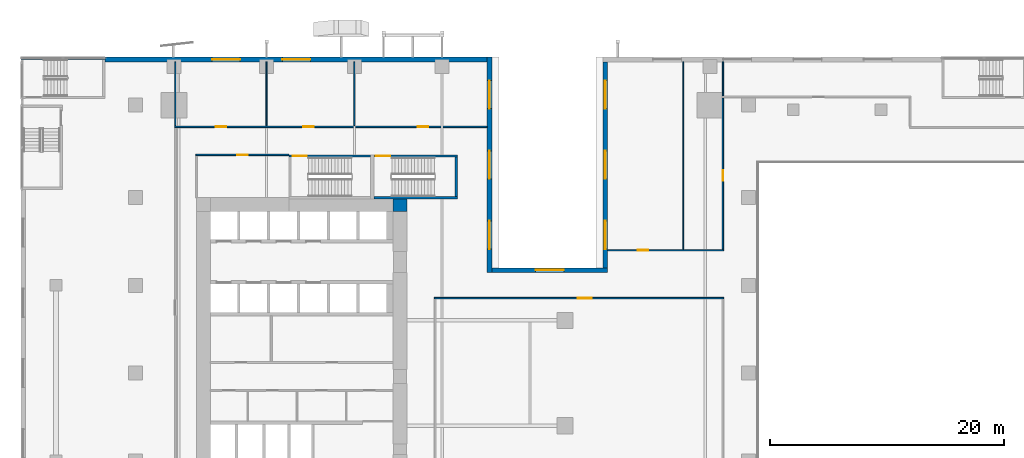
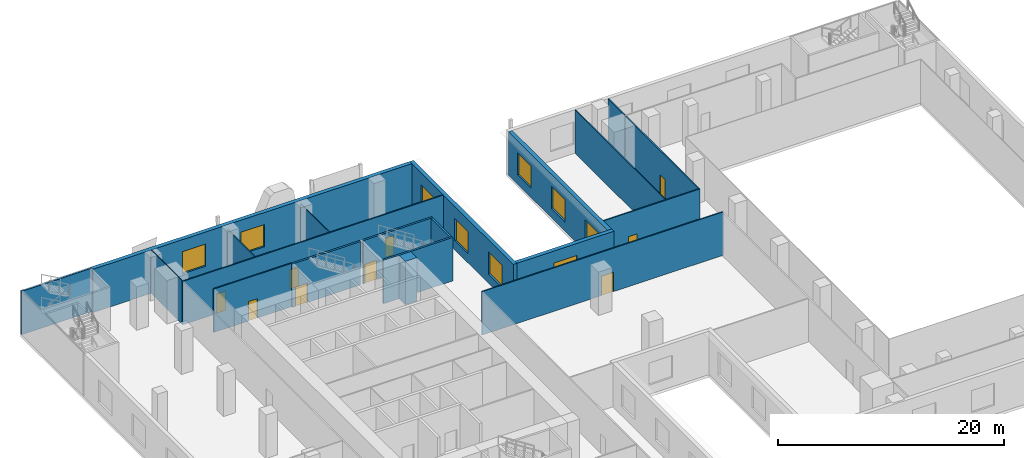
# One storey, part 13 of 22: 20 walls, 9 doors, 9 windows, 18 openings.
"""IFC4 building model written with IfcOpenShell, lengths in metres."""

from ifc_helpers import new_model, si_unit, direction, frame, frame_2d, origin, place, context, subcontext, project, spatial, rectangle, extrude, source, transform, mapped, material, layer, layer_set, type_object, element, fill, save


model = new_model("IFC4")

# Units and contexts
model_context = context("Model", 3, precision=1e-05, world=origin(), true_north=direction((0.0, 1.0)))
body_context = subcontext(model_context, "Body", "Model", "MODEL_VIEW")
ifc_project = project(units=[si_unit("LENGTHUNIT", "METRE"), si_unit("AREAUNIT", "SQUARE_METRE"), si_unit("VOLUMEUNIT", "CUBIC_METRE"), si_unit("PLANEANGLEUNIT", "RADIAN"), si_unit("MASSUNIT", "GRAM", prefix="KILO")], contexts=[model_context])

# Site, building, storey
site_placement = place(None, origin())
site = spatial("IfcSite", under=ifc_project, at=site_placement, CompositionType="ELEMENT")
building_placement = place(site_placement, origin())
building = spatial("IfcBuilding", under=site, at=building_placement, Name="Khomas Fold Tower", CompositionType="ELEMENT")
storey_placement = place(building_placement, frame((0.0, 0.0, 23.5)))
storey = spatial("IfcBuildingStorey", under=building, at=storey_placement, Name="L04", CompositionType="ELEMENT", Elevation=23.5)

# Wall
ifc_material_1 = material(Name="Concrete C70/85", Category="concrete")
ifc_layer_1 = layer(ifc_material_1, 1.10009765625)
ifc_layer_set_1 = layer_set([ifc_layer_1], Name="Concrete C70/85")
wall_type_1 = type_object("IfcWallType", Name="Core corner wall 1100", PredefinedType="SHEAR", material=ifc_layer_set_1)
shared_shape_1 = source(origin(), body_context, "Body", "SweptSolid", [
    extrude(rectangle(XDim=1.199951171875, YDim=1.10009765625, at=frame_2d((0.60009765625, 0.0))), origin(), (0.0, 0.0, 1.0), 4.699951171875),
])
wall_1_placement = place(storey_placement, frame((22.800048828125, 41.35009765625, 0.0), z_axis=(0.0, 0.0, 1.0), x_axis=(1.0, 0.0, 0.0)))
element("IfcWall", 1, at=wall_1_placement, inside=storey, type_object=wall_type_1, Name="Core wall CW-L-NE-B2", PredefinedType="SHEAR", context=body_context, shape_type="MappedRepresentation", body=[
    mapped(shared_shape_1, transform((0.0, 0.0, 0.0))),
])

# Wall, opening, door
ifc_material_2 = material(Name="Concrete C50/60", Category="concrete")
ifc_layer_2 = layer(ifc_material_2, 0.199951171875)
ifc_layer_set_2 = layer_set([ifc_layer_2], Name="Concrete C50/60")
wall_type_2 = type_object("IfcWallType", Name="Stair wall 200", PredefinedType="SHEAR", material=ifc_layer_set_2)
shared_shape_2 = source(origin(), body_context, "Body", "SweptSolid", [
    extrude(rectangle(XDim=7.0, YDim=0.199951171875, at=frame_2d((3.5, 0.0))), origin(), (0.0, 0.0, 1.0), 4.699951171875),
])
wall_2_placement = place(storey_placement, frame((13.89990234375, 45.550048828125, 0.0), z_axis=(0.0, 0.0, 1.0), x_axis=(1.0, 0.0, 0.0)))
wall_2 = element("IfcWall", 2, at=wall_2_placement, inside=storey, type_object=wall_type_2, Name="Stair wall SW-ST1-N", PredefinedType="SHEAR", context=body_context, shape_type="MappedRepresentation", body=[
    mapped(shared_shape_2, transform((0.0, 0.0, 0.0))),
])
shared_shape_3 = source(origin(), body_context, "Body", "SweptSolid", [
    extrude(rectangle(XDim=1.199951171875, YDim=2.10009765625, at=frame_2d((0.60009765625, 1.050048828125))), frame((0.0, 0.10986328125, 0.0), z_axis=(0.0, -1.0, 0.0), x_axis=(1.0, 0.0, 0.0)), (0.0, 0.0, 1.0), 0.219970703125),
])
opening_1_placement = place(wall_2_placement, frame((0.35009765625, 0.0, 0.0)))
opening_1 = element("IfcOpeningElement", 3, at=opening_1_placement, cuts=wall_2, Name="Opening SD-ST1", PredefinedType="OPENING", context=body_context, shape_type="MappedRepresentation", body=[
    mapped(shared_shape_3, transform((0.0, 0.0, 0.0))),
])
ifc_material_3 = material(Name="Steel door leaf", Category="steel")
door_type_1 = type_object("IfcDoorType", Name="Stair door 1200x2100 left-hand", OperationType="SINGLE_SWING_LEFT", PredefinedType="DOOR", material=ifc_material_3)
shared_shape_4 = source(origin(), body_context, "Body", "SweptSolid", [
    extrude(rectangle(XDim=1.199951171875, YDim=2.10009765625, at=frame_2d((0.60009765625, 1.050048828125))), frame((0.0, 0.02490234375, 0.0), z_axis=(0.0, -1.0, 0.0), x_axis=(1.0, 0.0, 0.0)), (0.0, 0.0, 1.0), 0.050048828125),
])
door_1_placement = place(opening_1_placement, origin())
door_1 = element("IfcDoor", 4, at=door_1_placement, inside=storey, type_object=door_type_1, Name="Stair door", OperationType="SINGLE_SWING_LEFT", OverallHeight=2.10009765625, OverallWidth=1.199951171875, PredefinedType="DOOR", context=body_context, shape_type="MappedRepresentation", body=[
    mapped(shared_shape_4, transform((0.0, 0.0, 0.0))),
])
fill(opening_1, door_1)

shared_shape_5 = source(origin(), body_context, "Body", "SweptSolid", [
    extrude(rectangle(XDim=7.10009765625, YDim=0.199951171875, at=frame_2d((3.550048828125, 0.0))), origin(), (0.0, 0.0, 1.0), 4.699951171875),
])
wall_3_placement = place(storey_placement, frame((21.199951171875, 45.550048828125, 0.0), z_axis=(0.0, 0.0, 1.0), x_axis=(1.0, 0.0, 0.0)))
wall_3 = element("IfcWall", 5, at=wall_3_placement, inside=storey, type_object=wall_type_2, Name="Stair wall SW-ST3-N", PredefinedType="SHEAR", context=body_context, shape_type="MappedRepresentation", body=[
    mapped(shared_shape_5, transform((0.0, 0.0, 0.0))),
])
opening_2_placement = place(wall_3_placement, frame((0.14990234375, 0.0, 0.0)))
opening_2 = element("IfcOpeningElement", 6, at=opening_2_placement, cuts=wall_3, Name="Opening SD-ST3", PredefinedType="OPENING", context=body_context, shape_type="MappedRepresentation", body=[
    mapped(shared_shape_3, transform((0.0, 0.0, 0.0))),
])
door_2_placement = place(opening_2_placement, origin())
door_2 = element("IfcDoor", 7, at=door_2_placement, inside=storey, type_object=door_type_1, Name="Stair door", OperationType="SINGLE_SWING_LEFT", OverallHeight=2.10009765625, OverallWidth=1.199951171875, PredefinedType="DOOR", context=body_context, shape_type="MappedRepresentation", body=[
    mapped(shared_shape_4, transform((0.0, 0.0, 0.0))),
])
fill(opening_2, door_2)

# Walls
wall_4_placement = place(storey_placement, frame((21.199951171875, 42.0, 0.0), z_axis=(0.0, 0.0, 1.0), x_axis=(1.0, 0.0, 0.0)))
element("IfcWall", 8, at=wall_4_placement, inside=storey, type_object=wall_type_2, Name="Stair wall SW-ST3-S", PredefinedType="SHEAR", context=body_context, shape_type="MappedRepresentation", body=[
    mapped(shared_shape_5, transform((0.0, 0.0, 0.0))),
])
shared_shape_6 = source(origin(), body_context, "Body", "SweptSolid", [
    extrude(rectangle(XDim=3.349853515625, YDim=0.199951171875, at=frame_2d((1.6748046875, 0.0))), origin(), (0.0, 0.0, 1.0), 4.699951171875),
])
wall_5_placement = place(storey_placement, frame((28.199951171875, 42.10009765625, 0.0), z_axis=(0.0, 0.0, 1.0), x_axis=(0.0, 1.0, 0.0)))
element("IfcWall", 9, at=wall_5_placement, inside=storey, type_object=wall_type_2, Name="Stair wall SW-ST3-E", PredefinedType="SHEAR", context=body_context, shape_type="MappedRepresentation", body=[
    mapped(shared_shape_6, transform((0.0, 0.0, 0.0))),
])

# Wall, openings, windows
ifc_material_4 = material(Name="Concrete C40/50", Category="concrete")
ifc_layer_3 = layer(ifc_material_4, 0.39990234375)
ifc_layer_set_3 = layer_set([ifc_layer_3], Name="Concrete C40/50")
wall_type_3 = type_object("IfcWallType", Name="Stone-clad concrete wall 400", PredefinedType="SOLIDWALL", material=ifc_layer_set_3)
shared_shape_7 = source(origin(), body_context, "Body", "SweptSolid", [
    extrude(rectangle(XDim=17.60009765625, YDim=0.39990234375, at=frame_2d((8.800048828125, 0.0))), origin(), (0.0, 0.0, 1.0), 4.699951171875),
])
wall_6_placement = place(storey_placement, frame((40.949951171875, 53.60009765625, 0.0), z_axis=(0.0, 0.0, 1.0), x_axis=(0.0, -1.0, 0.0)))
wall_6 = element("IfcWall", 10, at=wall_6_placement, inside=storey, type_object=wall_type_3, Name="Podium wall", PredefinedType="SOLIDWALL", context=body_context, shape_type="MappedRepresentation", body=[
    mapped(shared_shape_7, transform((0.0, 0.0, 0.0))),
])
shared_shape_8 = source(origin(), body_context, "Body", "SweptSolid", [
    extrude(rectangle(XDim=2.39990234375, YDim=2.39990234375, at=frame_2d((1.199951171875, 1.199951171875))), frame((0.0, 0.2099609375, 0.0), z_axis=(0.0, -1.0, 0.0), x_axis=(1.0, 0.0, 0.0)), (0.0, 0.0, 1.0), 0.419921875),
])
opening_3_placement = place(wall_6_placement, frame((1.60009765625, 0.0, 1.0)))
opening_3 = element("IfcOpeningElement", 11, at=opening_3_placement, cuts=wall_6, Name="Opening PD-WN", PredefinedType="OPENING", context=body_context, shape_type="MappedRepresentation", body=[
    mapped(shared_shape_8, transform((0.0, 0.0, 0.0))),
])
opening_4_placement = place(wall_6_placement, frame((7.60009765625, 0.0, 1.0)))
opening_4 = element("IfcOpeningElement", 12, at=opening_4_placement, cuts=wall_6, Name="Opening PD-WN", PredefinedType="OPENING", context=body_context, shape_type="MappedRepresentation", body=[
    mapped(shared_shape_8, transform((0.0, 0.0, 0.0))),
])
opening_5_placement = place(wall_6_placement, frame((13.60009765625, 0.0, 1.0)))
opening_5 = element("IfcOpeningElement", 13, at=opening_5_placement, cuts=wall_6, Name="Opening PD-WN", PredefinedType="OPENING", context=body_context, shape_type="MappedRepresentation", body=[
    mapped(shared_shape_8, transform((0.0, 0.0, 0.0))),
])
ifc_material_5 = material(Name="Aluminium framed double glazing", Category="aluminium")
window_type = type_object("IfcWindowType", Name="Podium window 2400 x 2400", PartitioningType="SINGLE_PANEL", PredefinedType="WINDOW", material=ifc_material_5)
shared_shape_9 = source(origin(), body_context, "Body", "SweptSolid", [
    extrude(rectangle(XDim=2.39990234375, YDim=2.39990234375, at=frame_2d((1.199951171875, 1.199951171875))), frame((0.0, 0.030029296875, 0.0), z_axis=(0.0, -1.0, 0.0), x_axis=(1.0, 0.0, 0.0)), (0.0, 0.0, 1.0), 0.06005859375),
])
window_1_placement = place(opening_3_placement, origin())
window_1 = element("IfcWindow", 14, at=window_1_placement, inside=storey, type_object=window_type, Name="Podium window", OverallHeight=2.39990234375, OverallWidth=2.39990234375, PartitioningType="SINGLE_PANEL", PredefinedType="WINDOW", context=body_context, shape_type="MappedRepresentation", body=[
    mapped(shared_shape_9, transform((0.0, 0.0, 0.0))),
])
fill(opening_3, window_1)
window_2_placement = place(opening_4_placement, origin())
window_2 = element("IfcWindow", 15, at=window_2_placement, inside=storey, type_object=window_type, Name="Podium window", OverallHeight=2.39990234375, OverallWidth=2.39990234375, PartitioningType="SINGLE_PANEL", PredefinedType="WINDOW", context=body_context, shape_type="MappedRepresentation", body=[
    mapped(shared_shape_9, transform((0.0, 0.0, 0.0))),
])
fill(opening_4, window_2)
window_3_placement = place(opening_5_placement, origin())
window_3 = element("IfcWindow", 16, at=window_3_placement, inside=storey, type_object=window_type, Name="Podium window", OverallHeight=2.39990234375, OverallWidth=2.39990234375, PartitioningType="SINGLE_PANEL", PredefinedType="WINDOW", context=body_context, shape_type="MappedRepresentation", body=[
    mapped(shared_shape_9, transform((0.0, 0.0, 0.0))),
])
fill(opening_5, window_3)

shared_shape_10 = source(origin(), body_context, "Body", "SweptSolid", [
    extrude(rectangle(XDim=18.39990234375, YDim=0.39990234375, at=frame_2d((9.199951171875, 0.0))), origin(), (0.0, 0.0, 1.0), 4.699951171875),
])
wall_7_placement = place(storey_placement, frame((31.050048828125, 35.60009765625, 0.0), z_axis=(0.0, 0.0, 1.0), x_axis=(0.0, 1.0, 0.0)))
wall_7 = element("IfcWall", 17, at=wall_7_placement, inside=storey, type_object=wall_type_3, Name="Podium wall", PredefinedType="SOLIDWALL", context=body_context, shape_type="MappedRepresentation", body=[
    mapped(shared_shape_10, transform((0.0, 0.0, 0.0))),
])
opening_6_placement = place(wall_7_placement, frame((2.0, 0.0, 1.0)))
opening_6 = element("IfcOpeningElement", 18, at=opening_6_placement, cuts=wall_7, Name="Opening PD-WN", PredefinedType="OPENING", context=body_context, shape_type="MappedRepresentation", body=[
    mapped(shared_shape_8, transform((0.0, 0.0, 0.0))),
])
opening_7_placement = place(wall_7_placement, frame((8.0, 0.0, 1.0)))
opening_7 = element("IfcOpeningElement", 19, at=opening_7_placement, cuts=wall_7, Name="Opening PD-WN", PredefinedType="OPENING", context=body_context, shape_type="MappedRepresentation", body=[
    mapped(shared_shape_8, transform((0.0, 0.0, 0.0))),
])
opening_8_placement = place(wall_7_placement, frame((14.0, 0.0, 1.0)))
opening_8 = element("IfcOpeningElement", 20, at=opening_8_placement, cuts=wall_7, Name="Opening PD-WN", PredefinedType="OPENING", context=body_context, shape_type="MappedRepresentation", body=[
    mapped(shared_shape_8, transform((0.0, 0.0, 0.0))),
])
window_4_placement = place(opening_6_placement, origin())
window_4 = element("IfcWindow", 21, at=window_4_placement, inside=storey, type_object=window_type, Name="Podium window", OverallHeight=2.39990234375, OverallWidth=2.39990234375, PartitioningType="SINGLE_PANEL", PredefinedType="WINDOW", context=body_context, shape_type="MappedRepresentation", body=[
    mapped(shared_shape_9, transform((0.0, 0.0, 0.0))),
])
fill(opening_6, window_4)
window_5_placement = place(opening_7_placement, origin())
window_5 = element("IfcWindow", 22, at=window_5_placement, inside=storey, type_object=window_type, Name="Podium window", OverallHeight=2.39990234375, OverallWidth=2.39990234375, PartitioningType="SINGLE_PANEL", PredefinedType="WINDOW", context=body_context, shape_type="MappedRepresentation", body=[
    mapped(shared_shape_9, transform((0.0, 0.0, 0.0))),
])
fill(opening_7, window_5)
window_6_placement = place(opening_8_placement, origin())
window_6 = element("IfcWindow", 23, at=window_6_placement, inside=storey, type_object=window_type, Name="Podium window", OverallHeight=2.39990234375, OverallWidth=2.39990234375, PartitioningType="SINGLE_PANEL", PredefinedType="WINDOW", context=body_context, shape_type="MappedRepresentation", body=[
    mapped(shared_shape_9, transform((0.0, 0.0, 0.0))),
])
fill(opening_8, window_6)

# Wall, opening, window
shared_shape_11 = source(origin(), body_context, "Body", "SweptSolid", [
    extrude(rectangle(XDim=9.89990234375, YDim=0.39990234375, at=frame_2d((4.949951171875, 0.0))), origin(), (0.0, 0.0, 1.0), 4.699951171875),
])
wall_8_placement = place(storey_placement, frame((41.14990234375, 35.800048828125, 0.0), z_axis=(0.0, 0.0, 1.0), x_axis=(-1.0, 0.0, 0.0)))
wall_8 = element("IfcWall", 24, at=wall_8_placement, inside=storey, type_object=wall_type_3, Name="Podium wall", PredefinedType="SOLIDWALL", context=body_context, shape_type="MappedRepresentation", body=[
    mapped(shared_shape_11, transform((0.0, 0.0, 0.0))),
])
opening_9_placement = place(wall_8_placement, frame((3.75, 0.0, 1.0)))
opening_9 = element("IfcOpeningElement", 25, at=opening_9_placement, cuts=wall_8, Name="Opening PD-WN", PredefinedType="OPENING", context=body_context, shape_type="MappedRepresentation", body=[
    mapped(shared_shape_8, transform((0.0, 0.0, 0.0))),
])
window_7_placement = place(opening_9_placement, origin())
window_7 = element("IfcWindow", 26, at=window_7_placement, inside=storey, type_object=window_type, Name="Podium window", OverallHeight=2.39990234375, OverallWidth=2.39990234375, PartitioningType="SINGLE_PANEL", PredefinedType="WINDOW", context=body_context, shape_type="MappedRepresentation", body=[
    mapped(shared_shape_9, transform((0.0, 0.0, 0.0))),
])
fill(opening_9, window_7)

# Wall, openings, windows
shared_shape_12 = source(origin(), body_context, "Body", "SweptSolid", [
    extrude(rectangle(XDim=32.64013671875, YDim=0.39990234375, at=frame_2d((16.320068359375, 0.0))), origin(), (0.0, 0.0, 1.0), 4.699951171875),
])
wall_9_placement = place(storey_placement, frame((30.85009765625, 53.800048828125, 0.0), z_axis=(0.0, 0.0, 1.0), x_axis=(-1.0, 0.0, 0.0)))
wall_9 = element("IfcWall", 27, at=wall_9_placement, inside=storey, type_object=wall_type_3, Name="Podium wall", PredefinedType="SOLIDWALL", context=body_context, shape_type="MappedRepresentation", body=[
    mapped(shared_shape_12, transform((0.0, 0.0, 0.0))),
])
opening_10_placement = place(wall_9_placement, frame((15.10009765625, 0.0, 1.0)))
opening_10 = element("IfcOpeningElement", 28, at=opening_10_placement, cuts=wall_9, Name="Opening PD-WN", PredefinedType="OPENING", context=body_context, shape_type="MappedRepresentation", body=[
    mapped(shared_shape_8, transform((0.0, 0.0, 0.0))),
])
opening_11_placement = place(wall_9_placement, frame((21.10009765625, 0.0, 1.0)))
opening_11 = element("IfcOpeningElement", 29, at=opening_11_placement, cuts=wall_9, Name="Opening PD-WN", PredefinedType="OPENING", context=body_context, shape_type="MappedRepresentation", body=[
    mapped(shared_shape_8, transform((0.0, 0.0, 0.0))),
])
window_8_placement = place(opening_10_placement, origin())
window_8 = element("IfcWindow", 30, at=window_8_placement, inside=storey, type_object=window_type, Name="Podium window", OverallHeight=2.39990234375, OverallWidth=2.39990234375, PartitioningType="SINGLE_PANEL", PredefinedType="WINDOW", context=body_context, shape_type="MappedRepresentation", body=[
    mapped(shared_shape_9, transform((0.0, 0.0, 0.0))),
])
fill(opening_10, window_8)
window_9_placement = place(opening_11_placement, origin())
window_9 = element("IfcWindow", 31, at=window_9_placement, inside=storey, type_object=window_type, Name="Podium window", OverallHeight=2.39990234375, OverallWidth=2.39990234375, PartitioningType="SINGLE_PANEL", PredefinedType="WINDOW", context=body_context, shape_type="MappedRepresentation", body=[
    mapped(shared_shape_9, transform((0.0, 0.0, 0.0))),
])
fill(opening_11, window_9)

# Walls
ifc_material_6 = material(Name="Plasterboard partition")
ifc_layer_4 = layer(ifc_material_6, 0.10009765625)
ifc_layer_set_4 = layer_set([ifc_layer_4], Name="Plasterboard partition")
wall_type_4 = type_object("IfcWallType", Name="Partition PW1 100", PredefinedType="PARTITIONING", material=ifc_layer_set_4)
shared_shape_13 = source(origin(), body_context, "Body", "SweptSolid", [
    extrude(rectangle(XDim=5.4501953125, YDim=0.10009765625, at=frame_2d((2.72509765625, 0.0))), origin(), (0.0, 0.0, 1.0), 4.699951171875),
])
wall_10_placement = place(storey_placement, frame((4.199951171875, 48.14990234375, 0.0), z_axis=(0.0, 0.0, 1.0), x_axis=(0.0, 1.0, 0.0)))
element("IfcWall", 32, at=wall_10_placement, inside=storey, type_object=wall_type_4, Name="Partition", PredefinedType="PARTITIONING", context=body_context, shape_type="MappedRepresentation", body=[
    mapped(shared_shape_13, transform((0.0, 0.0, 0.0))),
])
ifc_material_7 = material(Name="Concrete C30/37", Category="concrete")
ifc_layer_5 = layer(ifc_material_7, 0.199951171875)
ifc_layer_set_5 = layer_set([ifc_layer_5], Name="Concrete C30/37")
wall_type_5 = type_object("IfcWallType", Name="Stair wall PW5 200", PredefinedType="PARTITIONING", material=ifc_layer_set_5)
shared_shape_14 = source(origin(), body_context, "Body", "SweptSolid", [
    extrude(rectangle(XDim=7.199951171875, YDim=0.199951171875, at=frame_2d((3.60009765625, 0.0))), origin(), (0.0, 0.0, 1.0), 4.699951171875),
])
wall_11_placement = place(storey_placement, frame((-9.0, 53.89990234375, 0.0), z_axis=(0.0, 0.0, 1.0), x_axis=(1.0, 0.0, 0.0)))
element("IfcWall", 33, at=wall_11_placement, inside=storey, type_object=wall_type_5, Name="Stair wall", PredefinedType="PARTITIONING", context=body_context, shape_type="MappedRepresentation", body=[
    mapped(shared_shape_14, transform((0.0, 0.0, 0.0))),
])

# Wall, opening, door
ifc_material_8 = material(Name="Plasterboard partition")
ifc_layer_6 = layer(ifc_material_8, 0.125)
ifc_layer_set_6 = layer_set([ifc_layer_6], Name="Plasterboard partition")
wall_type_6 = type_object("IfcWallType", Name="Partition PW2 125", PredefinedType="PARTITIONING", material=ifc_layer_set_6)
shared_shape_15 = source(origin(), body_context, "Body", "SweptSolid", [
    extrude(rectangle(XDim=24.699951171875, YDim=0.125, at=frame_2d((12.35009765625, 0.0))), origin(), (0.0, 0.0, 1.0), 4.699951171875),
])
wall_12_placement = place(storey_placement, frame((26.35009765625, 33.39990234375, 0.0), z_axis=(0.0, 0.0, 1.0), x_axis=(1.0, 0.0, 0.0)))
wall_12 = element("IfcWall", 34, at=wall_12_placement, inside=storey, type_object=wall_type_6, Name="Partition", PredefinedType="PARTITIONING", context=body_context, shape_type="MappedRepresentation", body=[
    mapped(shared_shape_15, transform((0.0, 0.0, 0.0))),
])
shared_shape_16 = source(origin(), body_context, "Body", "SweptSolid", [
    extrude(rectangle(XDim=1.199951171875, YDim=2.10009765625, at=frame_2d((0.60009765625, 1.050048828125))), frame((0.0, 0.072509765625, 0.0), z_axis=(0.0, -1.0, 0.0), x_axis=(1.0, 0.0, 0.0)), (0.0, 0.0, 1.0), 0.14501953125),
])
opening_12_placement = place(wall_12_placement, frame((12.25, 0.0, 0.0)))
opening_12 = element("IfcOpeningElement", 35, at=opening_12_placement, cuts=wall_12, Name="Opening 0001", PredefinedType="OPENING", context=body_context, shape_type="MappedRepresentation", body=[
    mapped(shared_shape_16, transform((0.0, 0.0, 0.0))),
])
ifc_material_9 = material(Name="Timber door leaf", Category="wood")
door_type_2 = type_object("IfcDoorType", Name="Door 1200x2100 right-hand", OperationType="SINGLE_SWING_RIGHT", PredefinedType="DOOR", material=ifc_material_9)
door_3_placement = place(opening_12_placement, origin())
door_3 = element("IfcDoor", 36, at=door_3_placement, inside=storey, type_object=door_type_2, Name="Door", OperationType="SINGLE_SWING_RIGHT", OverallHeight=2.10009765625, OverallWidth=1.199951171875, PredefinedType="DOOR", context=body_context, shape_type="MappedRepresentation", body=[
    mapped(shared_shape_4, transform((0.0, 0.0, 0.0))),
])
fill(opening_12, door_3)

# Wall
shared_shape_17 = source(origin(), body_context, "Body", "SweptSolid", [
    extrude(rectangle(XDim=16.0, YDim=0.10009765625, at=frame_2d((8.0, 0.0))), origin(), (0.0, 0.0, 1.0), 4.699951171875),
])
wall_13_placement = place(storey_placement, frame((47.60009765625, 37.60009765625, 0.0), z_axis=(0.0, 0.0, 1.0), x_axis=(0.0, 1.0, 0.0)))
element("IfcWall", 37, at=wall_13_placement, inside=storey, type_object=wall_type_4, Name="Partition", PredefinedType="PARTITIONING", context=body_context, shape_type="MappedRepresentation", body=[
    mapped(shared_shape_17, transform((0.0, 0.0, 0.0))),
])

# Wall, opening, door
shared_shape_18 = source(origin(), body_context, "Body", "SweptSolid", [
    extrude(rectangle(XDim=12.89990234375, YDim=0.125, at=frame_2d((6.449951171875, 0.0))), origin(), (0.0, 0.0, 1.0), 4.699951171875),
])
wall_14_placement = place(storey_placement, frame((51.0, 37.60009765625, 0.0), z_axis=(0.0, 0.0, 1.0), x_axis=(0.0, 1.0, 0.0)))
wall_14 = element("IfcWall", 38, at=wall_14_placement, inside=storey, type_object=wall_type_6, Name="Partition", PredefinedType="PARTITIONING", context=body_context, shape_type="MappedRepresentation", body=[
    mapped(shared_shape_18, transform((0.0, 0.0, 0.0))),
])
shared_shape_19 = source(origin(), body_context, "Body", "SweptSolid", [
    extrude(rectangle(XDim=0.89990234375, YDim=2.10009765625, at=frame_2d((0.449951171875, 1.050048828125))), frame((0.0, 0.072509765625, 0.0), z_axis=(0.0, -1.0, 0.0), x_axis=(1.0, 0.0, 0.0)), (0.0, 0.0, 1.0), 0.14501953125),
])
opening_13_placement = place(wall_14_placement, frame((5.85009765625, 0.0, 0.0)))
opening_13 = element("IfcOpeningElement", 39, at=opening_13_placement, cuts=wall_14, Name="Opening 0008", PredefinedType="OPENING", context=body_context, shape_type="MappedRepresentation", body=[
    mapped(shared_shape_19, transform((0.0, 0.0, 0.0))),
])
ifc_material_10 = material(Name="Timber door leaf", Category="wood")
door_type_3 = type_object("IfcDoorType", Name="Door 900x2100 right-hand", OperationType="SINGLE_SWING_RIGHT", PredefinedType="DOOR", material=ifc_material_10)
shared_shape_20 = source(origin(), body_context, "Body", "SweptSolid", [
    extrude(rectangle(XDim=0.89990234375, YDim=2.10009765625, at=frame_2d((0.449951171875, 1.050048828125))), frame((0.0, 0.02490234375, 0.0), z_axis=(0.0, -1.0, 0.0), x_axis=(1.0, 0.0, 0.0)), (0.0, 0.0, 1.0), 0.050048828125),
])
door_4_placement = place(opening_13_placement, origin())
door_4 = element("IfcDoor", 40, at=door_4_placement, inside=storey, type_object=door_type_3, Name="Door", OperationType="SINGLE_SWING_RIGHT", OverallHeight=2.10009765625, OverallWidth=0.89990234375, PredefinedType="DOOR", context=body_context, shape_type="MappedRepresentation", body=[
    mapped(shared_shape_20, transform((0.0, 0.0, 0.0))),
])
fill(opening_13, door_4)

shared_shape_21 = source(origin(), body_context, "Body", "SweptSolid", [
    extrude(rectangle(XDim=7.949951171875, YDim=0.125, at=frame_2d((3.97509765625, 0.0))), origin(), (0.0, 0.0, 1.0), 4.699951171875),
])
wall_15_placement = place(storey_placement, frame((5.949951171875, 45.64990234375, 0.0), z_axis=(0.0, 0.0, 1.0), x_axis=(1.0, 0.0, 0.0)))
wall_15 = element("IfcWall", 41, at=wall_15_placement, inside=storey, type_object=wall_type_6, Name="Partition", PredefinedType="PARTITIONING", context=body_context, shape_type="MappedRepresentation", body=[
    mapped(shared_shape_21, transform((0.0, 0.0, 0.0))),
])
opening_14_placement = place(wall_15_placement, frame((3.550048828125, 0.0, 0.0)))
opening_14 = element("IfcOpeningElement", 42, at=opening_14_placement, cuts=wall_15, Name="Opening 0007", PredefinedType="OPENING", context=body_context, shape_type="MappedRepresentation", body=[
    mapped(shared_shape_19, transform((0.0, 0.0, 0.0))),
])
ifc_material_11 = material(Name="Timber door leaf", Category="wood")
door_type_4 = type_object("IfcDoorType", Name="Door 900x2100 left-hand", OperationType="SINGLE_SWING_LEFT", PredefinedType="DOOR", material=ifc_material_11)
door_5_placement = place(opening_14_placement, origin())
door_5 = element("IfcDoor", 43, at=door_5_placement, inside=storey, type_object=door_type_4, Name="Door", OperationType="SINGLE_SWING_LEFT", OverallHeight=2.10009765625, OverallWidth=0.89990234375, PredefinedType="DOOR", context=body_context, shape_type="MappedRepresentation", body=[
    mapped(shared_shape_20, transform((0.0, 0.0, 0.0))),
])
fill(opening_14, door_5)

# Wall
shared_shape_22 = source(origin(), body_context, "Body", "SweptSolid", [
    extrude(rectangle(XDim=2.900146484375, YDim=0.10009765625, at=frame_2d((1.4501953125, 0.0))), origin(), (0.0, 0.0, 1.0), 4.699951171875),
])
wall_16_placement = place(storey_placement, frame((51.0, 50.699951171875, 0.0), z_axis=(0.0, 0.0, 1.0), x_axis=(0.0, 1.0, 0.0)))
element("IfcWall", 44, at=wall_16_placement, inside=storey, type_object=wall_type_4, Name="Partition", PredefinedType="PARTITIONING", context=body_context, shape_type="MappedRepresentation", body=[
    mapped(shared_shape_22, transform((0.0, 0.0, 0.0))),
])

# Wall, opening, door
shared_shape_23 = source(origin(), body_context, "Body", "SweptSolid", [
    extrude(rectangle(XDim=9.900146484375, YDim=0.125, at=frame_2d((4.9501953125, 0.0))), origin(), (0.0, 0.0, 1.0), 4.699951171875),
])
wall_17_placement = place(storey_placement, frame((41.14990234375, 37.5, 0.0), z_axis=(0.0, 0.0, 1.0), x_axis=(1.0, 0.0, 0.0)))
wall_17 = element("IfcWall", 45, at=wall_17_placement, inside=storey, type_object=wall_type_6, Name="Partition", PredefinedType="PARTITIONING", context=body_context, shape_type="MappedRepresentation", body=[
    mapped(shared_shape_23, transform((0.0, 0.0, 0.0))),
])
opening_15_placement = place(wall_17_placement, frame((2.550048828125, 0.0, 0.0)))
opening_15 = element("IfcOpeningElement", 46, at=opening_15_placement, cuts=wall_17, Name="Opening 0008", PredefinedType="OPENING", context=body_context, shape_type="MappedRepresentation", body=[
    mapped(shared_shape_19, transform((0.0, 0.0, 0.0))),
])
door_6_placement = place(opening_15_placement, origin())
door_6 = element("IfcDoor", 47, at=door_6_placement, inside=storey, type_object=door_type_3, Name="Door", OperationType="SINGLE_SWING_RIGHT", OverallHeight=2.10009765625, OverallWidth=0.89990234375, PredefinedType="DOOR", context=body_context, shape_type="MappedRepresentation", body=[
    mapped(shared_shape_20, transform((0.0, 0.0, 0.0))),
])
fill(opening_15, door_6)

# Wall, openings, doors
shared_shape_24 = source(origin(), body_context, "Body", "SweptSolid", [
    extrude(rectangle(XDim=26.7001953125, YDim=0.125, at=frame_2d((13.35009765625, 0.0))), origin(), (0.0, 0.0, 1.0), 4.699951171875),
])
wall_18_placement = place(storey_placement, frame((4.14990234375, 48.050048828125, 0.0), z_axis=(0.0, 0.0, 1.0), x_axis=(1.0, 0.0, 0.0)))
wall_18 = element("IfcWall", 48, at=wall_18_placement, inside=storey, type_object=wall_type_6, Name="Partition", PredefinedType="PARTITIONING", context=body_context, shape_type="MappedRepresentation", body=[
    mapped(shared_shape_24, transform((0.0, 0.0, 0.0))),
])
opening_16_placement = place(wall_18_placement, frame((3.5, 0.0, 0.0)))
opening_16 = element("IfcOpeningElement", 49, at=opening_16_placement, cuts=wall_18, Name="Opening 0007", PredefinedType="OPENING", context=body_context, shape_type="MappedRepresentation", body=[
    mapped(shared_shape_19, transform((0.0, 0.0, 0.0))),
])
opening_17_placement = place(wall_18_placement, frame((11.0, 0.0, 0.0)))
opening_17 = element("IfcOpeningElement", 50, at=opening_17_placement, cuts=wall_18, Name="Opening 0004", PredefinedType="OPENING", context=body_context, shape_type="MappedRepresentation", body=[
    mapped(shared_shape_19, transform((0.0, 0.0, 0.0))),
])
opening_18_placement = place(wall_18_placement, frame((20.75, 0.0, 0.0)))
opening_18 = element("IfcOpeningElement", 51, at=opening_18_placement, cuts=wall_18, Name="Opening 0007", PredefinedType="OPENING", context=body_context, shape_type="MappedRepresentation", body=[
    mapped(shared_shape_19, transform((0.0, 0.0, 0.0))),
])
door_7_placement = place(opening_16_placement, origin())
door_7 = element("IfcDoor", 52, at=door_7_placement, inside=storey, type_object=door_type_4, Name="Door", OperationType="SINGLE_SWING_LEFT", OverallHeight=2.10009765625, OverallWidth=0.89990234375, PredefinedType="DOOR", context=body_context, shape_type="MappedRepresentation", body=[
    mapped(shared_shape_20, transform((0.0, 0.0, 0.0))),
])
fill(opening_16, door_7)
ifc_material_12 = material(Name="Timber door leaf", Category="wood")
door_type_5 = type_object("IfcDoorType", Name="WC door 900x2100 right-hand", OperationType="SINGLE_SWING_RIGHT", PredefinedType="DOOR", material=ifc_material_12)
door_8_placement = place(opening_17_placement, origin())
door_8 = element("IfcDoor", 53, at=door_8_placement, inside=storey, type_object=door_type_5, Name="WC door", OperationType="SINGLE_SWING_RIGHT", OverallHeight=2.10009765625, OverallWidth=0.89990234375, PredefinedType="DOOR", context=body_context, shape_type="MappedRepresentation", body=[
    mapped(shared_shape_20, transform((0.0, 0.0, 0.0))),
])
fill(opening_17, door_8)
door_9_placement = place(opening_18_placement, origin())
door_9 = element("IfcDoor", 54, at=door_9_placement, inside=storey, type_object=door_type_4, Name="Door", OperationType="SINGLE_SWING_LEFT", OverallHeight=2.10009765625, OverallWidth=0.89990234375, PredefinedType="DOOR", context=body_context, shape_type="MappedRepresentation", body=[
    mapped(shared_shape_20, transform((0.0, 0.0, 0.0))),
])
fill(opening_18, door_9)

# Walls
shared_shape_25 = source(origin(), body_context, "Body", "SweptSolid", [
    extrude(rectangle(XDim=5.4501953125, YDim=0.10009765625, at=frame_2d((2.72509765625, 0.0))), origin(), (0.0, 0.0, 1.0), 4.199951171875),
])
wall_19_placement = place(storey_placement, frame((12.0, 48.14990234375, 0.0), z_axis=(0.0, 0.0, 1.0), x_axis=(0.0, 1.0, 0.0)))
element("IfcWall", 55, at=wall_19_placement, inside=storey, type_object=wall_type_4, Name="Partition", PredefinedType="PARTITIONING", context=body_context, shape_type="MappedRepresentation", body=[
    mapped(shared_shape_25, transform((0.0, 0.0, 0.0))),
])
shared_shape_26 = source(origin(), body_context, "Body", "SweptSolid", [
    extrude(rectangle(XDim=5.4501953125, YDim=0.10009765625, at=frame_2d((2.72509765625, 0.0))), origin(), (0.0, 0.0, 1.0), 4.340087890625),
])
wall_20_placement = place(storey_placement, frame((19.5, 48.14990234375, 0.0), z_axis=(0.0, 0.0, 1.0), x_axis=(0.0, 1.0, 0.0)))
element("IfcWall", 56, at=wall_20_placement, inside=storey, type_object=wall_type_4, Name="Partition", PredefinedType="PARTITIONING", context=body_context, shape_type="MappedRepresentation", body=[
    mapped(shared_shape_26, transform((0.0, 0.0, 0.0))),
])

save(model, "model.ifc")
